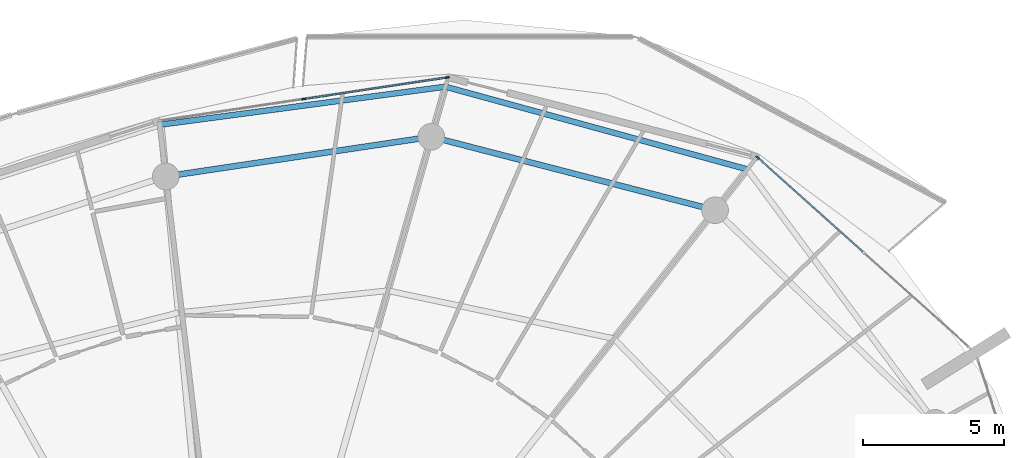
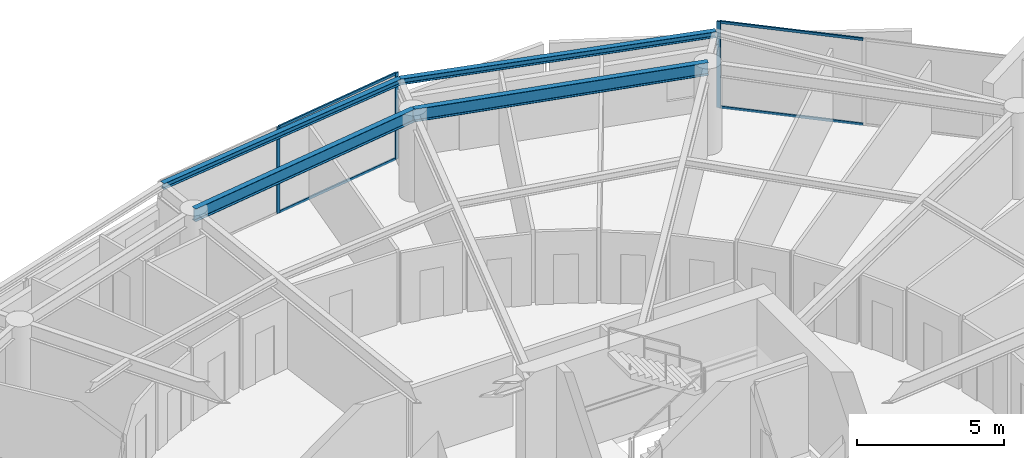
# One storey, part 16 of 30: 7 members, 4 beams, 2 elements without a shape of their own.
"""IFC4 building model written with IfcOpenShell, lengths in metres."""

import ifcopenshell
import ifcopenshell.guid

model = None  # the IFC model being written
_history = None  # IfcOwnerHistory: only IFC2X3 demands one
_inside = {}  # id of a spatial element -> (the spatial element, [elements in it])
_under = {}  # id of a project, library or spatial element -> (it, [spatial elements below it])
_declared = {}  # id of a project -> (the project, [libraries it declares])
_typed = {}  # id of a type object -> (the type object, [elements of that type])
_made_of = {}  # id of a material, layer set ... -> (it, [elements and type objects made of it])


def new_model(schema):
    """Start an empty IFC model of exactly this schema.

    Asked for "IFC4X3", IfcOpenShell would pick the latest addendum, in which some entities
    have other attributes; the version numbers below select the first issue.
    IFC2X3 requires an IfcOwnerHistory on every rooted entity: one is made here for all.
    """
    global model, _history
    if schema == "IFC4X3":
        model = ifcopenshell.file(schema_version=(4, 3, 0, 0))
    else:
        model = ifcopenshell.file(schema=schema)
    _inside.clear()
    _under.clear()
    _declared.clear()
    _typed.clear()
    _made_of.clear()
    _history = None
    if model.schema == "IFC2X3":
        org = make("IfcOrganization", Name="unknown")
        user = make(
            "IfcPersonAndOrganization",
            ThePerson=make("IfcPerson", FamilyName="unknown"),
            TheOrganization=org,
        )
        app = make(
            "IfcApplication",
            ApplicationDeveloper=org,
            Version="unknown",
            ApplicationFullName="unknown",
            ApplicationIdentifier="unknown",
        )
        _history = make(
            "IfcOwnerHistory",
            OwningUser=user,
            OwningApplication=app,
            ChangeAction="ADDED",
            CreationDate=0,
        )
    return model


def make(cls, **values):
    """One entity of the class cls with the attributes given. An attribute that is None is left unset."""
    return model.create_entity(
        cls, **{name: value for name, value in values.items() if value is not None}
    )


def rooted(cls, **values):
    """An entity with a GlobalId (a new one), such as an element, a storey or a relation."""
    return make(cls, GlobalId=ifcopenshell.guid.new(), OwnerHistory=_history, **values)


def si_unit(unit_type, name, prefix=None):
    """IfcSIUnit, for example si_unit("LENGTHUNIT", "METRE", prefix="MILLI")."""
    return make("IfcSIUnit", UnitType=unit_type, Prefix=prefix, Name=name)


def assignment(units):
    """IfcUnitAssignment: the units of a project."""
    return None if units is None else make("IfcUnitAssignment", Units=units)


def point(xyz):
    """IfcCartesianPoint."""
    return None if xyz is None else make("IfcCartesianPoint", Coordinates=xyz)


def direction(xyz):
    """IfcDirection."""
    return None if xyz is None else make("IfcDirection", DirectionRatios=xyz)


def frame(location, z_axis=None, x_axis=None):
    """IfcAxis2Placement3D, a coordinate frame: its origin and axes. An axis left out is left unset."""
    return make(
        "IfcAxis2Placement3D",
        Location=point(location),
        Axis=direction(z_axis),
        RefDirection=direction(x_axis),
    )


def frame_2d(location, x_axis=None):
    """IfcAxis2Placement2D, a coordinate frame in the plane: its origin and x axis."""
    return make(
        "IfcAxis2Placement2D", Location=point(location), RefDirection=direction(x_axis)
    )


def origin():
    """The frame at (0, 0, 0) with its axes left unset."""
    return frame((0.0, 0.0, 0.0))


def origin_2d():
    """The frame at (0, 0) in the plane with its x axis left unset."""
    return frame_2d((0.0, 0.0))


def place(relative_to, where):
    """IfcLocalPlacement: puts the frame where relative to a parent placement (None: the world)."""
    return make(
        "IfcLocalPlacement", PlacementRelTo=relative_to, RelativePlacement=where
    )


def context(
    kind, dimensions, precision=None, world=None, true_north=None, identifier=None
):
    """IfcGeometricRepresentationContext, for example the 3D "Model" context."""
    return make(
        "IfcGeometricRepresentationContext",
        ContextIdentifier=identifier,
        ContextType=kind,
        CoordinateSpaceDimension=dimensions,
        Precision=precision,
        WorldCoordinateSystem=world,
        TrueNorth=true_north,
    )


def subcontext(parent, identifier, kind, view, scale=None):
    """IfcGeometricRepresentationSubContext, for example "Body" below "Model"."""
    return make(
        "IfcGeometricRepresentationSubContext",
        ContextIdentifier=identifier,
        ContextType=kind,
        ParentContext=parent,
        TargetScale=scale,
        TargetView=view,
    )


def project(units=None, contexts=None):
    """IfcProject with its units and contexts."""
    return rooted(
        "IfcProject",
        Name="project",
        RepresentationContexts=contexts,
        UnitsInContext=assignment(units),
    )


def spatial(cls, under=None, at=None, **own):
    """A site, building, storey or space (cls), placed at a placement, below another one or the project."""
    s = rooted(cls, ObjectPlacement=at, **own)
    if under is not None:
        _under.setdefault(under.id(), (under, []))[1].append(s)
    return s


def profile(cls, at=None, kind="AREA", **sizes):
    """A parametric profile (cls). Its sizes go by their IFC names, for example OverallWidth=200.0."""
    return make(cls, ProfileType=kind, Position=at, **sizes)


def rectangle(**sizes):
    """IfcRectangleProfileDef."""
    return profile("IfcRectangleProfileDef", **sizes)


def i_section(**sizes):
    """IfcIShapeProfileDef."""
    return profile("IfcIShapeProfileDef", **sizes)


def extrude(swept, where, along, depth):
    """IfcExtrudedAreaSolid: the profile swept, set in the frame where, extruded along a direction by depth."""
    return make(
        "IfcExtrudedAreaSolid",
        SweptArea=swept,
        Position=where,
        ExtrudedDirection=direction(along),
        Depth=depth,
    )


def shape(context_of_items, identifier, shape_type, items):
    """IfcShapeRepresentation: the items that make up one representation, for example the "Body"."""
    return make(
        "IfcShapeRepresentation",
        ContextOfItems=context_of_items,
        RepresentationIdentifier=identifier,
        RepresentationType=shape_type,
        Items=items,
    )


def material(Name=None, Category=None):
    """IfcMaterial."""
    return make("IfcMaterial", Name=Name, Category=Category)


def layer(
    of_material, thickness, ventilated=None, Name=None, Category=None, Priority=None
):
    """IfcMaterialLayer: one layer of a wall or slab, of a material (None: an air gap)."""
    return make(
        "IfcMaterialLayer",
        Material=of_material,
        LayerThickness=thickness,
        IsVentilated=ventilated,
        Name=Name,
        Category=Category,
        Priority=Priority,
    )


def layer_set(layers, Name=None):
    """IfcMaterialLayerSet."""
    return make("IfcMaterialLayerSet", MaterialLayers=layers, LayerSetName=Name)


def material_profile(
    of_material, cross_section, Name=None, Category=None, Priority=None
):
    """IfcMaterialProfile: a cross section and its material."""
    return make(
        "IfcMaterialProfile",
        Name=Name,
        Material=of_material,
        Profile=cross_section,
        Priority=Priority,
        Category=Category,
    )


def profile_set(profiles, Name=None, composite=None):
    """IfcMaterialProfileSet."""
    return make(
        "IfcMaterialProfileSet",
        Name=Name,
        MaterialProfiles=profiles,
        CompositeProfile=composite,
    )


def made_of(thing, what):
    """Note that an element or type object is made of a material, layer set ...; save() writes the relation."""
    if what is not None:
        _made_of.setdefault(what.id(), (what, []))[1].append(thing)
    return thing


def type_object(cls, material=None, **own):
    """A type object (cls), such as IfcWallType, which elements share."""
    return made_of(rooted(cls, **own), material)


def element(
    cls,
    number,
    at=None,
    inside=None,
    cuts=None,
    type_object=None,
    material=None,
    context=None,
    identifier="Body",
    shape_type=None,
    held_by="IfcProductDefinitionShape",
    body=None,
    shapes=None,
    **own,
):
    """One element of the class cls, such as IfcWall. Its Tag is "e" and its number.

    at: its placement. inside: the storey or other place that contains it. cuts: it is an
    opening in that element (IfcRelVoidsElement). A single representation is given by context,
    identifier, shape_type and body (its items); several are given by shapes. held_by: the class
    of the entity that holds the representations. save() writes the other relations.
    """
    e = rooted(cls, Tag="e%d" % number, ObjectPlacement=at, **own)
    if body is not None:
        shapes = [shape(context, identifier, shape_type, body)]
    if shapes is not None:
        e.Representation = make(held_by, Representations=shapes)
    if inside is not None:
        _inside.setdefault(inside.id(), (inside, []))[1].append(e)
    if cuts is not None:
        rooted(
            "IfcRelVoidsElement", RelatingBuildingElement=cuts, RelatedOpeningElement=e
        )
    if type_object is not None:
        _typed.setdefault(type_object.id(), (type_object, []))[1].append(e)
    return made_of(e, material)


def aggregate(whole, parts):
    """IfcRelAggregates: a whole, such as a stair, and the parts it consists of."""
    return rooted("IfcRelAggregates", RelatingObject=whole, RelatedObjects=parts)


def save(model, path):
    """Write the relations noted so far, then the file.

    IfcRelAggregates (storeys below a building ...), IfcRelContainedInSpatialStructure (elements
    in a storey), IfcRelDefinesByType, IfcRelAssociatesMaterial and IfcRelDeclares: one each for
    every whole, place, type object, material and project.
    """
    for whole, parts in _under.values():
        aggregate(whole, parts)
    for where, things in _inside.values():
        rooted(
            "IfcRelContainedInSpatialStructure",
            RelatedElements=things,
            RelatingStructure=where,
        )
    for kind, things in _typed.values():
        rooted("IfcRelDefinesByType", RelatedObjects=things, RelatingType=kind)
    for what, things in _made_of.values():
        rooted("IfcRelAssociatesMaterial", RelatedObjects=things, RelatingMaterial=what)
    for by, libraries in _declared.values():
        rooted("IfcRelDeclares", RelatingContext=by, RelatedDefinitions=libraries)
    model.write(path)


model = new_model("IFC4")

# Units and contexts
model_context = context("Model", 3, precision=1e-05, world=origin(), true_north=direction((0.0, 1.0)))
body_context = subcontext(model_context, "Body", "Model", "MODEL_VIEW")
ifc_project = project(units=[si_unit("LENGTHUNIT", "METRE"), si_unit("AREAUNIT", "SQUARE_METRE"), si_unit("VOLUMEUNIT", "CUBIC_METRE"), si_unit("PLANEANGLEUNIT", "RADIAN"), si_unit("MASSUNIT", "GRAM", prefix="KILO")], contexts=[model_context])

# Site, building, storey
site_placement = place(None, origin())
site = spatial("IfcSite", under=ifc_project, at=site_placement, CompositionType="ELEMENT")
building_placement = place(site_placement, origin())
building = spatial("IfcBuilding", under=site, at=building_placement, Name="Kazma Halo Residences", CompositionType="ELEMENT")
storey_placement = place(building_placement, frame((0.0, 0.0, 263.64990234375)))
storey = spatial("IfcBuildingStorey", under=building, at=storey_placement, Name="L66", CompositionType="ELEMENT", Elevation=263.64990234375)

# Beams
ifc_material_1 = material(Name="Steel S355", Category="steel")
ifc_material_profile_1 = material_profile(ifc_material_1, i_section(OverallWidth=0.201904296875, OverallDepth=0.2470703125, WebThickness=0.00732421875, FlangeThickness=0.010986328125, FilletRadius=0.011962890625, at=origin_2d()), Name="W250x49.1")
ifc_profile_set_1 = profile_set([ifc_material_profile_1], Name="Steel S355")
beam_type_1 = type_object("IfcBeamType", Name="BM-BAL-CANT", PredefinedType="BEAM", material=ifc_profile_set_1)
beam_1_placement = place(storey_placement, frame((65.992431640625, 64.823486328125, 3.466552734375), z_axis=(-0.964514665976, 0.264029277006, 0.0), x_axis=(-0.264029277006, -0.964514665976, 0.0)))
element("IfcBeam", 1, at=beam_1_placement, inside=storey, type_object=beam_type_1, Name="L66 wave-balcony tie beam 02", PredefinedType="BEAM", context=body_context, shape_type="SweptSolid", body=[
    extrude(i_section(OverallWidth=0.201904296875, OverallDepth=0.2470703125, WebThickness=0.00732421875, FlangeThickness=0.010986328125, FilletRadius=0.011962890625, at=origin_2d()), origin(), (0.0, 0.0, 1.0), 11.1220703125),
])
beam_2_placement = place(storey_placement, frame((55.26513671875, 67.760009765625, 3.466552734375), z_axis=(-0.991234798397, -0.132111976922, 0.0), x_axis=(0.132111976922, -0.991234798397, 0.0)))
element("IfcBeam", 2, at=beam_2_placement, inside=storey, type_object=beam_type_1, Name="L66 wave-balcony tie beam 03", PredefinedType="BEAM", context=body_context, shape_type="SweptSolid", body=[
    extrude(i_section(OverallWidth=0.201904296875, OverallDepth=0.2470703125, WebThickness=0.00732421875, FlangeThickness=0.010986328125, FilletRadius=0.011962890625, at=origin_2d()), origin(), (0.0, 0.0, 1.0), 10.198974609375),
])
ifc_material_profile_2 = material_profile(ifc_material_1, i_section(OverallWidth=0.208984375, OverallDepth=0.532958984375, WebThickness=0.01025390625, FlangeThickness=0.015625, FilletRadius=0.01611328125, at=origin_2d()), Name="W530x92")
ifc_profile_set_2 = profile_set([ifc_material_profile_2], Name="Steel S355")
beam_type_2 = type_object("IfcBeamType", Name="BM-SPN-W530", PredefinedType="BEAM", material=ifc_profile_set_2)
beam_3_placement = place(storey_placement, frame((64.84716796875, 63.37060546875, 3.323486328125), z_axis=(-0.968126042852, 0.250463500639, 0.0), x_axis=(-0.250463500639, -0.968126042852, 0.0)))
element("IfcBeam", 3, at=beam_3_placement, inside=storey, type_object=beam_type_2, Name="L66 perimeter ring beam 02", PredefinedType="BEAM", context=body_context, shape_type="SweptSolid", body=[
    extrude(i_section(OverallWidth=0.208984375, OverallDepth=0.532958984375, WebThickness=0.01025390625, FlangeThickness=0.015625, FilletRadius=0.01611328125, at=origin_2d()), origin(), (0.0, 0.0, 1.0), 10.416259765625),
])
beam_4_placement = place(storey_placement, frame((54.762939453125, 65.9794921875, 3.323486328125), z_axis=(-0.989035441627, -0.147678350495, 0.0), x_axis=(0.147678350495, -0.989035441627, 0.0)))
element("IfcBeam", 4, at=beam_4_placement, inside=storey, type_object=beam_type_2, Name="L66 perimeter ring beam 03", PredefinedType="BEAM", context=body_context, shape_type="SweptSolid", body=[
    extrude(i_section(OverallWidth=0.208984375, OverallDepth=0.532958984375, WebThickness=0.01025390625, FlangeThickness=0.015625, FilletRadius=0.01611328125, at=origin_2d()), origin(), (0.0, 0.0, 1.0), 9.538818359375),
])

# Curtain wall, member
ifc_material_2 = material(Name="Aluminium AW-6063 T6 and Triple-Silver Low-E Glass", Category="aluminium")
ifc_layer = layer(ifc_material_2, 0.139892578125)
ifc_layer_set = layer_set([ifc_layer], Name="Aluminium AW-6063 T6 and Triple-Silver Low-E Glass")
curtain_wall_type = type_object("IfcCurtainWallType", Name="CW-SYS-5", PredefinedType="NOTDEFINED", material=ifc_layer_set)
curtain_wall_1_placement = place(storey_placement, origin())
curtain_wall_1 = element("IfcCurtainWall", 5, at=curtain_wall_1_placement, inside=storey, type_object=curtain_wall_type, Name="L66 unitised curtain wall B01", PredefinedType="NOTDEFINED")
ifc_material_3 = material(Name="Aluminium AW-6063 T6", Category="aluminium")
ifc_material_profile_3 = material_profile(ifc_material_3, rectangle(XDim=0.06005859375, YDim=0.139892578125, at=origin_2d()), Name="CWM-60x140")
ifc_profile_set_3 = profile_set([ifc_material_profile_3], Name="Aluminium AW-6063 T6")
member_type_1 = type_object("IfcMemberType", Name="CW-SYS-5-MUL", PredefinedType="MULLION", material=ifc_profile_set_3)
member_1_placement = place(storey_placement, frame((66.3603515625, 65.241455078125, 0.0), z_axis=(0.0, 0.0, 1.0), x_axis=(-0.667804826958, -0.744336424671, 0.0)))
member_1 = element("IfcMember", 6, at=member_1_placement, type_object=member_type_1, Name="CWS-5 mullion 3", PredefinedType="MULLION", context=body_context, shape_type="SweptSolid", body=[
    extrude(rectangle(XDim=0.06005859375, YDim=0.139892578125, at=origin_2d()), origin(), (0.0, 0.0, 1.0), 3.590087890625),
])

# Curtain wall, members
curtain_wall_2_placement = place(storey_placement, origin())
curtain_wall_2 = element("IfcCurtainWall", 7, at=curtain_wall_2_placement, inside=storey, type_object=curtain_wall_type, Name="L66 unitised curtain wall B03", PredefinedType="NOTDEFINED")
member_2_placement = place(storey_placement, frame((55.328857421875, 68.087158203125, 0.0), z_axis=(0.0, 0.0, 1.0), x_axis=(0.148697080374, -0.988882792998, 0.0)))
member_2 = element("IfcMember", 8, at=member_2_placement, type_object=member_type_1, Name="CWS-5 mullion 1", PredefinedType="MULLION", context=body_context, shape_type="SweptSolid", body=[
    extrude(rectangle(XDim=0.06005859375, YDim=0.139892578125, at=origin_2d()), origin(), (0.0, 0.0, 1.0), 3.590087890625),
])
member_3_placement = place(storey_placement, frame((50.2265625, 67.320068359375, 0.0), z_axis=(0.0, 0.0, 1.0), x_axis=(0.148697080374, -0.988882792998, 0.0)))
member_3 = element("IfcMember", 9, at=member_3_placement, type_object=member_type_1, Name="CWS-5 mullion 2", PredefinedType="MULLION", context=body_context, shape_type="SweptSolid", body=[
    extrude(rectangle(XDim=0.06005859375, YDim=0.139892578125, at=origin_2d()), origin(), (0.0, 0.0, 1.0), 3.590087890625),
])

# Member
ifc_material_profile_4 = material_profile(ifc_material_3, rectangle(XDim=0.06005859375, YDim=0.10498046875, at=origin_2d()), Name="CWT-60x105")
ifc_profile_set_4 = profile_set([ifc_material_profile_4], Name="Aluminium AW-6063 T6")
member_type_2 = type_object("IfcMemberType", Name="CW-SYS-5-TRN", PredefinedType="USERDEFINED", material=ifc_profile_set_4)
member_4_placement = place(storey_placement, frame((70.099609375, 61.88671875, 0.030029296875), z_axis=(-0.744350700793, 0.667788914425, 0.0), x_axis=(-0.667788914425, -0.744350700793, 0.0)))
member_4 = element("IfcMember", 10, at=member_4_placement, type_object=member_type_2, Name="CWS-5 transom 2.1", ObjectType="TRANSOM", PredefinedType="USERDEFINED", context=body_context, shape_type="SweptSolid", body=[
    extrude(rectangle(XDim=0.06005859375, YDim=0.10498046875, at=origin_2d()), origin(), (0.0, 0.0, 1.0), 4.99365234375),
])

member_5_placement = place(storey_placement, frame((70.099609375, 61.88671875, 3.56005859375), z_axis=(-0.744350700793, 0.667788914425, 0.0), x_axis=(-0.667788914425, -0.744350700793, 0.0)))
member_5 = element("IfcMember", 11, at=member_5_placement, type_object=member_type_2, Name="CWS-5 transom 2.2", ObjectType="TRANSOM", PredefinedType="USERDEFINED", context=body_context, shape_type="SweptSolid", body=[
    extrude(rectangle(XDim=0.06005859375, YDim=0.10498046875, at=origin_2d()), origin(), (0.0, 0.0, 1.0), 4.99365234375),
])

aggregate(curtain_wall_1, [member_1, member_4, member_5])

member_6_placement = place(storey_placement, frame((55.29931640625, 68.082763671875, 0.030029296875), z_axis=(-0.988883972013, -0.148689239341, 0.0), x_axis=(0.148689239341, -0.988883972013, 0.0)))
member_6 = element("IfcMember", 12, at=member_6_placement, type_object=member_type_2, Name="CWS-5 transom 1.1", ObjectType="TRANSOM", PredefinedType="USERDEFINED", context=body_context, shape_type="SweptSolid", body=[
    extrude(rectangle(XDim=0.06005859375, YDim=0.10498046875, at=origin_2d()), origin(), (0.0, 0.0, 1.0), 5.099853515625),
])

member_7_placement = place(storey_placement, frame((55.29931640625, 68.082763671875, 3.56005859375), z_axis=(-0.988883972013, -0.148689239341, 0.0), x_axis=(0.148689239341, -0.988883972013, 0.0)))
member_7 = element("IfcMember", 13, at=member_7_placement, type_object=member_type_2, Name="CWS-5 transom 1.2", ObjectType="TRANSOM", PredefinedType="USERDEFINED", context=body_context, shape_type="SweptSolid", body=[
    extrude(rectangle(XDim=0.06005859375, YDim=0.10498046875, at=origin_2d()), origin(), (0.0, 0.0, 1.0), 5.099853515625),
])

aggregate(curtain_wall_2, [member_2, member_3, member_6, member_7])

save(model, "model.ifc")
